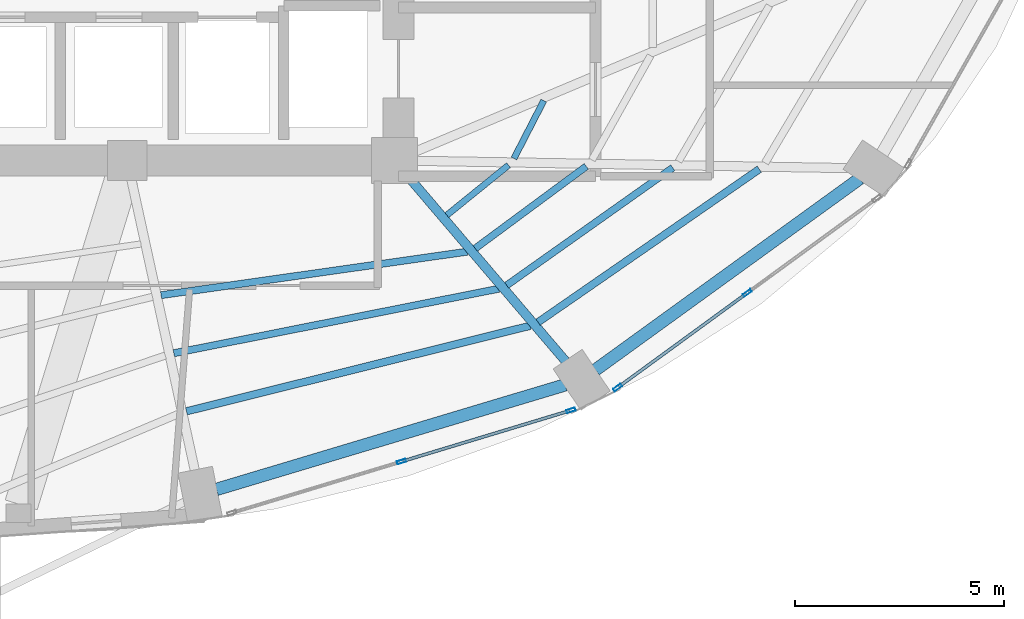
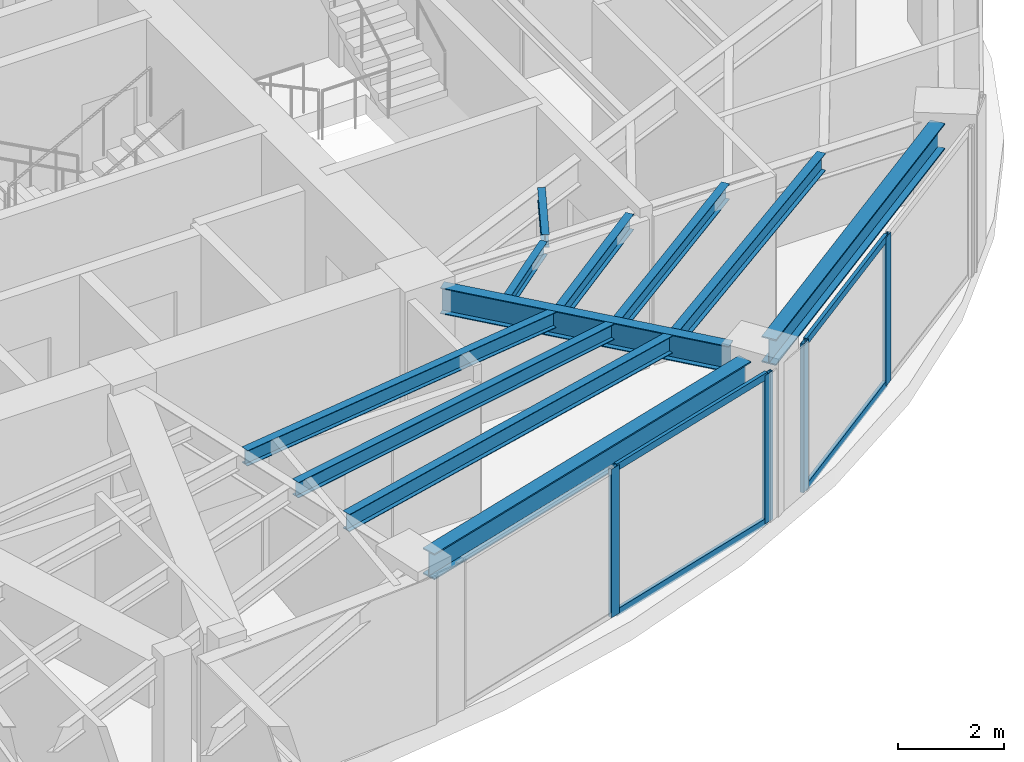
# One storey, part 10 of 23: 11 beams, 8 members, 2 elements without a shape of their own.
"""IFC4 building model written with IfcOpenShell, lengths in metres."""

from ifc_helpers import new_model, si_unit, direction, frame, origin, origin_2d, place, context, subcontext, project, spatial, hollow_rectangle, i_section, extrude, material, layer, layer_set, material_profile, profile_set, type_object, element, aggregate, save


model = new_model("IFC4")

# Units and contexts
model_context = context("Model", 3, precision=1e-05, world=origin(), true_north=direction((0.0, 1.0)))
body_context = subcontext(model_context, "Body", "Model", "MODEL_VIEW")
ifc_project = project(units=[si_unit("LENGTHUNIT", "METRE"), si_unit("AREAUNIT", "SQUARE_METRE"), si_unit("VOLUMEUNIT", "CUBIC_METRE"), si_unit("PLANEANGLEUNIT", "RADIAN"), si_unit("MASSUNIT", "GRAM", prefix="KILO")], contexts=[model_context])

# Site, building, storey
site_placement = place(None, origin())
site = spatial("IfcSite", under=ifc_project, at=site_placement, CompositionType="ELEMENT")
building_placement = place(site_placement, origin())
building = spatial("IfcBuilding", under=site, at=building_placement, Name="Lazwardi Medical Tower", CompositionType="ELEMENT")
storey_placement = place(building_placement, frame((0.0, 0.0, 81.743896484375)))
storey = spatial("IfcBuildingStorey", under=building, at=storey_placement, Name="L20", CompositionType="ELEMENT", Elevation=81.743896484375)

# Beams
ifc_material_1 = material(Name="Steel S355", Category="steel")
ifc_material_profile_1 = material_profile(ifc_material_1, i_section(OverallWidth=0.300048828125, OverallDepth=0.60009765625, WebThickness=0.015380859375, FlangeThickness=0.030029296875, at=origin_2d()), Name="HEB 600")
ifc_profile_set_1 = profile_set([ifc_material_profile_1], Name="Steel S355")
beam_type_1 = type_object("IfcBeamType", Name="BM-RB-Z2", PredefinedType="BEAM", material=ifc_profile_set_1)
beam_1_placement = place(storey_placement, frame((41.338134765625, 12.5205078125, 3.128173828125), z_axis=(0.957879438442, 0.287170648587, 0.0), x_axis=(-0.287170648587, 0.957879438442, 0.0)))
element("IfcBeam", 1, at=beam_1_placement, inside=storey, type_object=beam_type_1, Name="Ring beam RB-03 B01 L20", PredefinedType="BEAM", context=body_context, shape_type="SweptSolid", body=[
    extrude(i_section(OverallWidth=0.300048828125, OverallDepth=0.60009765625, WebThickness=0.015380859375, FlangeThickness=0.030029296875, at=origin_2d()), origin(), (0.0, 0.0, 1.0), 8.719970703125),
])
beam_2_placement = place(storey_placement, frame((50.415771484375, 15.3828125, 3.128173828125), z_axis=(0.810041907649, 0.586371987609, 0.0), x_axis=(-0.586371987609, 0.810041907649, 0.0)))
element("IfcBeam", 2, at=beam_2_placement, inside=storey, type_object=beam_type_1, Name="Ring beam RB-03 B02 L20", PredefinedType="BEAM", context=body_context, shape_type="SweptSolid", body=[
    extrude(i_section(OverallWidth=0.300048828125, OverallDepth=0.60009765625, WebThickness=0.015380859375, FlangeThickness=0.030029296875, at=origin_2d()), origin(), (0.0, 0.0, 1.0), 7.814208984375),
])
ifc_material_profile_2 = material_profile(ifc_material_1, i_section(OverallWidth=0.219970703125, OverallDepth=0.60009765625, WebThickness=0.011962890625, FlangeThickness=0.01904296875, at=origin_2d()), Name="IPE 600")
ifc_profile_set_2 = profile_set([ifc_material_profile_2], Name="Steel S355")
beam_type_2 = type_object("IfcBeamType", Name="BM-RG-W1", PredefinedType="BEAM", material=ifc_profile_set_2)
beam_3_placement = place(storey_placement, frame((49.707275390625, 15.583740234375, 3.128173828125), z_axis=(-0.648870567436, 0.760898801889, 0.0), x_axis=(-0.760898801889, -0.648870567436, 0.0)))
element("IfcBeam", 3, at=beam_3_placement, inside=storey, type_object=beam_type_2, Name="Radial girder RG-02 R02 L20", PredefinedType="BEAM", context=body_context, shape_type="SweptSolid", body=[
    extrude(i_section(OverallWidth=0.219970703125, OverallDepth=0.60009765625, WebThickness=0.011962890625, FlangeThickness=0.01904296875, at=origin_2d()), origin(), (0.0, 0.0, 1.0), 5.794677734375),
])
ifc_material_profile_3 = material_profile(ifc_material_1, i_section(OverallWidth=0.179931640625, OverallDepth=0.39990234375, WebThickness=0.008544921875, FlangeThickness=0.013427734375, at=origin_2d()), Name="IPE 400")
ifc_profile_set_3 = profile_set([ifc_material_profile_3], Name="Steel S355")
beam_type_3 = type_object("IfcBeamType", Name="BM-SJ-01", PredefinedType="JOIST", material=ifc_profile_set_3)
beam_4_placement = place(storey_placement, frame((40.618896484375, 14.390869140625, 3.22802734375), z_axis=(0.970400881943, 0.241499748081, 0.0), x_axis=(-0.241499748081, 0.970400881943, 0.0)))
element("IfcBeam", 4, at=beam_4_placement, inside=storey, type_object=beam_type_3, Name="Secondary joist SJ-01 R1 B01 L20", PredefinedType="JOIST", context=body_context, shape_type="SweptSolid", body=[
    extrude(i_section(OverallWidth=0.179931640625, OverallDepth=0.39990234375, WebThickness=0.008544921875, FlangeThickness=0.013427734375, at=origin_2d()), origin(), (0.0, 0.0, 1.0), 8.48583984375),
])
beam_5_placement = place(storey_placement, frame((49.04150390625, 16.525390625, 3.22802734375), z_axis=(0.822376339068, 0.568943896128, 0.0), x_axis=(-0.568943896128, 0.822376339068, 0.0)))
element("IfcBeam", 5, at=beam_5_placement, inside=storey, type_object=beam_type_3, Name="Secondary joist SJ-01 R1 B02 L20", PredefinedType="JOIST", context=body_context, shape_type="SweptSolid", body=[
    extrude(i_section(OverallWidth=0.179931640625, OverallDepth=0.39990234375, WebThickness=0.008544921875, FlangeThickness=0.013427734375, at=origin_2d()), origin(), (0.0, 0.0, 1.0), 6.44189453125),
])
ifc_material_profile_4 = material_profile(ifc_material_1, i_section(OverallWidth=0.169921875, OverallDepth=0.360107421875, WebThickness=0.008056640625, FlangeThickness=0.0126953125, at=origin_2d()), Name="IPE 360")
ifc_profile_set_4 = profile_set([ifc_material_profile_4], Name="Steel S355")
beam_type_4 = type_object("IfcBeamType", Name="BM-SJ-02", PredefinedType="JOIST", material=ifc_profile_set_4)
beam_6_placement = place(storey_placement, frame((40.315185546875, 15.7822265625, 3.248046875), z_axis=(0.980878853282, 0.194619308352, 0.0), x_axis=(-0.194619308352, 0.980878853282, 0.0)))
element("IfcBeam", 6, at=beam_6_placement, inside=storey, type_object=beam_type_4, Name="Secondary joist SJ-02 R2 B01 L20", PredefinedType="JOIST", context=body_context, shape_type="SweptSolid", body=[
    extrude(i_section(OverallWidth=0.169921875, OverallDepth=0.360107421875, WebThickness=0.008056640625, FlangeThickness=0.0126953125, at=origin_2d()), origin(), (0.0, 0.0, 1.0), 7.93701171875),
])
beam_7_placement = place(storey_placement, frame((48.2890625, 17.408203125, 3.248046875), z_axis=(0.816156371539, 0.577831097464, 0.0), x_axis=(-0.577831097464, 0.816156371539, 0.0)))
element("IfcBeam", 7, at=beam_7_placement, inside=storey, type_object=beam_type_4, Name="Secondary joist SJ-02 R2 B02 L20", PredefinedType="JOIST", context=body_context, shape_type="SweptSolid", body=[
    extrude(i_section(OverallWidth=0.169921875, OverallDepth=0.360107421875, WebThickness=0.008056640625, FlangeThickness=0.0126953125, at=origin_2d()), origin(), (0.0, 0.0, 1.0), 4.8740234375),
])
beam_8_placement = place(storey_placement, frame((40.011474609375, 17.1728515625, 3.248046875), z_axis=(0.990067108571, 0.140595592128, 0.0), x_axis=(-0.140595592128, 0.990067108571, 0.0)))
element("IfcBeam", 8, at=beam_8_placement, inside=storey, type_object=beam_type_4, Name="Secondary joist SJ-02 R3 B01 L20", PredefinedType="JOIST", context=body_context, shape_type="SweptSolid", body=[
    extrude(i_section(OverallWidth=0.169921875, OverallDepth=0.360107421875, WebThickness=0.008056640625, FlangeThickness=0.0126953125, at=origin_2d()), origin(), (0.0, 0.0, 1.0), 7.409423828125),
])
beam_9_placement = place(storey_placement, frame((47.53564453125, 18.291748046875, 3.248046875), z_axis=(0.804125525058, 0.594459536008, 0.0), x_axis=(-0.594459536008, 0.804125525058, 0.0)))
element("IfcBeam", 9, at=beam_9_placement, inside=storey, type_object=beam_type_4, Name="Secondary joist SJ-02 R3 B02 L20", PredefinedType="JOIST", context=body_context, shape_type="SweptSolid", body=[
    extrude(i_section(OverallWidth=0.169921875, OverallDepth=0.360107421875, WebThickness=0.008056640625, FlangeThickness=0.0126953125, at=origin_2d()), origin(), (0.0, 0.0, 1.0), 3.30810546875),
])
ifc_material_profile_5 = material_profile(ifc_material_1, i_section(OverallWidth=0.14990234375, OverallDepth=0.300048828125, WebThickness=0.007080078125, FlangeThickness=0.0107421875, at=origin_2d()), Name="IPE 300")
ifc_profile_set_5 = profile_set([ifc_material_profile_5], Name="Steel S355")
beam_type_5 = type_object("IfcBeamType", Name="BM-SJ-03", PredefinedType="JOIST", material=ifc_profile_set_5)
beam_10_placement = place(storey_placement, frame((46.85595703125, 19.089111328125, 3.278076171875), z_axis=(0.77695773322, 0.629552762515, 0.0), x_axis=(-0.629552762515, 0.77695773322, 0.0)))
element("IfcBeam", 10, at=beam_10_placement, inside=storey, type_object=beam_type_5, Name="Secondary joist SJ-03 R4 B02 L20", PredefinedType="JOIST", context=body_context, shape_type="SweptSolid", body=[
    extrude(i_section(OverallWidth=0.14990234375, OverallDepth=0.300048828125, WebThickness=0.007080078125, FlangeThickness=0.0107421875, at=origin_2d()), origin(), (0.0, 0.0, 1.0), 1.9013671875),
])
beam_11_placement = place(storey_placement, frame((48.462890625, 20.445556640625, 3.278076171875), z_axis=(0.457956589674, 0.888974556427, 0.0), x_axis=(-0.888974556427, 0.457956589674, 0.0)))
element("IfcBeam", 11, at=beam_11_placement, inside=storey, type_object=beam_type_5, Name="Secondary joist SJ-03 R4 B03 L20", PredefinedType="JOIST", context=body_context, shape_type="SweptSolid", body=[
    extrude(i_section(OverallWidth=0.14990234375, OverallDepth=0.300048828125, WebThickness=0.007080078125, FlangeThickness=0.0107421875, at=origin_2d()), origin(), (0.0, 0.0, 1.0), 1.558837890625),
])

# Curtain wall, members
ifc_material_2 = material(Name="Anodised bronze aluminium and solar control glazing", Category="aluminium")
ifc_layer = layer(ifc_material_2, 0.195068359375)
ifc_layer_set = layer_set([ifc_layer], Name="Anodised bronze aluminium and solar control glazing")
curtain_wall_type = type_object("IfcCurtainWallType", Name="CW-SYS-03", PredefinedType="NOTDEFINED", material=ifc_layer_set)
curtain_wall_1_placement = place(storey_placement, origin())
curtain_wall_1 = element("IfcCurtainWall", 12, at=curtain_wall_1_placement, inside=storey, type_object=curtain_wall_type, Name="L20 Unitised bronze curtain wall CW-03", PredefinedType="NOTDEFINED")
ifc_material_3 = material(Name="Anodised bronze aluminium", Category="aluminium")
ifc_material_profile_6 = material_profile(ifc_material_3, hollow_rectangle(XDim=0.074951171875, YDim=0.219970703125, WallThickness=0.00390625, at=origin_2d()), Name="ALU-MULLION 220x75x4")
ifc_profile_set_6 = profile_set([ifc_material_profile_6], Name="Anodised bronze aluminium")
member_type_1 = type_object("IfcMemberType", Name="CW-MUL-01", PredefinedType="MULLION", material=ifc_profile_set_6)
member_1_placement = place(storey_placement, frame((45.769287109375, 13.18701171875, 0.0), z_axis=(0.0, 0.0, 1.0), x_axis=(-0.28937381157, 0.957216170558, 0.0)))
member_1 = element("IfcMember", 13, at=member_1_placement, type_object=member_type_1, Name="CW-03 mullion 2", PredefinedType="MULLION", context=body_context, shape_type="SweptSolid", body=[
    extrude(hollow_rectangle(XDim=0.074951171875, YDim=0.219970703125, WallThickness=0.00390625, at=origin_2d()), origin(), (0.0, 0.0, 1.0), 3.42822265625),
])
member_2_placement = place(storey_placement, frame((49.828369140625, 14.4140625, 0.0), z_axis=(0.0, 0.0, 1.0), x_axis=(-0.28937381157, 0.957216170558, 0.0)))
member_2 = element("IfcMember", 14, at=member_2_placement, type_object=member_type_1, Name="CW-03 mullion 3", PredefinedType="MULLION", context=body_context, shape_type="SweptSolid", body=[
    extrude(hollow_rectangle(XDim=0.074951171875, YDim=0.219970703125, WallThickness=0.00390625, at=origin_2d()), origin(), (0.0, 0.0, 1.0), 3.42822265625),
])

curtain_wall_2_placement = place(storey_placement, origin())
curtain_wall_2 = element("IfcCurtainWall", 15, at=curtain_wall_2_placement, inside=storey, type_object=curtain_wall_type, Name="L20 Unitised bronze curtain wall CW-03", PredefinedType="NOTDEFINED")
member_3_placement = place(storey_placement, frame((50.947265625, 14.96044921875, 0.0), z_axis=(0.0, 0.0, 1.0), x_axis=(-0.589530882802, 0.807745837639, 0.0)))
member_3 = element("IfcMember", 16, at=member_3_placement, type_object=member_type_1, Name="CW-03 mullion 1", PredefinedType="MULLION", context=body_context, shape_type="SweptSolid", body=[
    extrude(hollow_rectangle(XDim=0.074951171875, YDim=0.219970703125, WallThickness=0.00390625, at=origin_2d()), origin(), (0.0, 0.0, 1.0), 3.42822265625),
])
member_4_placement = place(storey_placement, frame((54.051025390625, 17.225830078125, 0.0), z_axis=(0.0, 0.0, 1.0), x_axis=(-0.589530882802, 0.807745837639, 0.0)))
member_4 = element("IfcMember", 17, at=member_4_placement, type_object=member_type_1, Name="CW-03 mullion 2", PredefinedType="MULLION", context=body_context, shape_type="SweptSolid", body=[
    extrude(hollow_rectangle(XDim=0.074951171875, YDim=0.219970703125, WallThickness=0.00390625, at=origin_2d()), origin(), (0.0, 0.0, 1.0), 3.42822265625),
])

# Member
ifc_material_profile_7 = material_profile(ifc_material_3, hollow_rectangle(XDim=0.074951171875, YDim=0.159912109375, WallThickness=0.00390625, at=origin_2d()), Name="ALU-TRANSOM 160x75x4")
ifc_profile_set_7 = profile_set([ifc_material_profile_7], Name="Anodised bronze aluminium")
member_type_2 = type_object("IfcMemberType", Name="CW-TRN-01", PredefinedType="USERDEFINED", material=ifc_profile_set_7)
member_5_placement = place(storey_placement, frame((45.80517578125, 13.19775390625, 0.03759765625), z_axis=(0.957220865985, 0.289358279168, 0.0), x_axis=(-0.289358279168, 0.957220865985, 0.0)))
member_5 = element("IfcMember", 18, at=member_5_placement, type_object=member_type_2, Name="CW-03 transom 2.1", ObjectType="TRANSOM", PredefinedType="USERDEFINED", context=body_context, shape_type="SweptSolid", body=[
    extrude(hollow_rectangle(XDim=0.074951171875, YDim=0.159912109375, WallThickness=0.00390625, at=origin_2d()), origin(), (0.0, 0.0, 1.0), 4.16552734375),
])

member_6_placement = place(storey_placement, frame((45.80517578125, 13.19775390625, 3.390625), z_axis=(0.957220865985, 0.289358279168, 0.0), x_axis=(-0.289358279168, 0.957220865985, 0.0)))
member_6 = element("IfcMember", 19, at=member_6_placement, type_object=member_type_2, Name="CW-03 transom 2.2", ObjectType="TRANSOM", PredefinedType="USERDEFINED", context=body_context, shape_type="SweptSolid", body=[
    extrude(hollow_rectangle(XDim=0.074951171875, YDim=0.159912109375, WallThickness=0.00390625, at=origin_2d()), origin(), (0.0, 0.0, 1.0), 4.16552734375),
])

aggregate(curtain_wall_1, [member_1, member_2, member_5, member_6])

member_7_placement = place(storey_placement, frame((50.9775390625, 14.982421875, 0.03759765625), z_axis=(0.807731734271, 0.589550206049, 0.0), x_axis=(-0.589550206049, 0.807731734271, 0.0)))
member_7 = element("IfcMember", 20, at=member_7_placement, type_object=member_type_2, Name="CW-03 transom 1.1", ObjectType="TRANSOM", PredefinedType="USERDEFINED", context=body_context, shape_type="SweptSolid", body=[
    extrude(hollow_rectangle(XDim=0.074951171875, YDim=0.159912109375, WallThickness=0.00390625, at=origin_2d()), origin(), (0.0, 0.0, 1.0), 3.767578125),
])

member_8_placement = place(storey_placement, frame((50.9775390625, 14.982421875, 3.390625), z_axis=(0.807731734271, 0.589550206049, 0.0), x_axis=(-0.589550206049, 0.807731734271, 0.0)))
member_8 = element("IfcMember", 21, at=member_8_placement, type_object=member_type_2, Name="CW-03 transom 1.2", ObjectType="TRANSOM", PredefinedType="USERDEFINED", context=body_context, shape_type="SweptSolid", body=[
    extrude(hollow_rectangle(XDim=0.074951171875, YDim=0.159912109375, WallThickness=0.00390625, at=origin_2d()), origin(), (0.0, 0.0, 1.0), 3.767578125),
])

aggregate(curtain_wall_2, [member_3, member_4, member_7, member_8])

save(model, "model.ifc")
